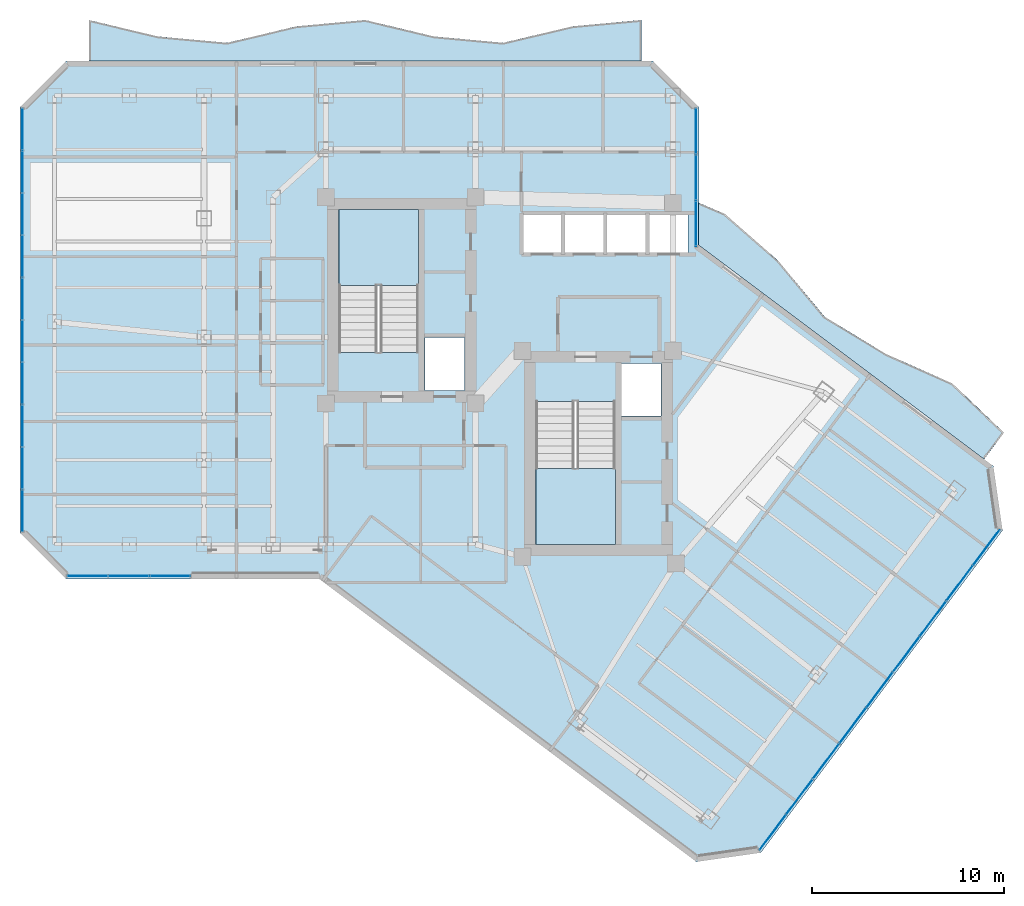
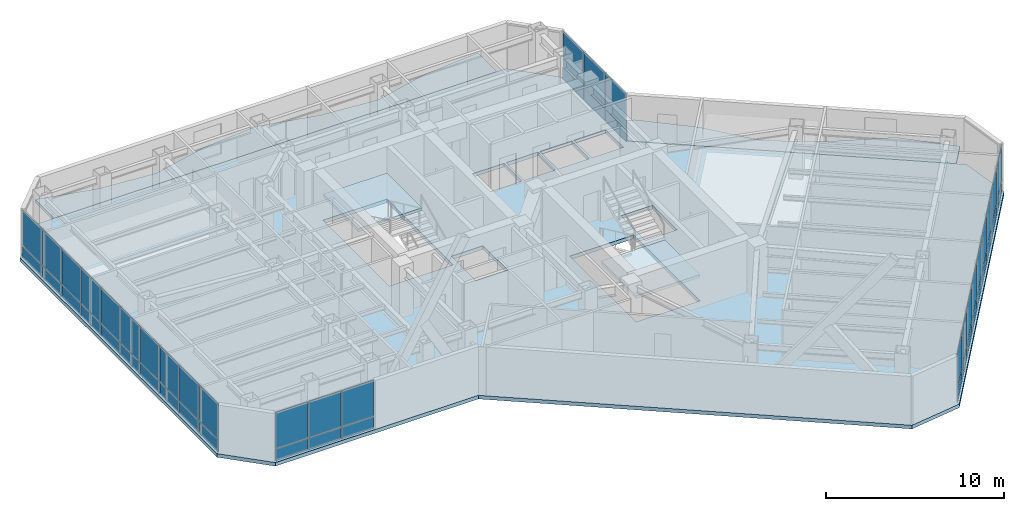
# One storey, part 20 of 27: 50 plates, 5 slabs, 6 elements without a shape of their own.
"""IFC4 building model written with IfcOpenShell, lengths in metres."""

from ifc_helpers import new_model, si_unit, direction, frame, origin, origin_2d, place, context, subcontext, project, spatial, polyline, rectangle, outline, extrude, material, layer, layer_set, type_object, element, aggregate, save


model = new_model("IFC4")

# Units and contexts
model_context = context("Model", 3, precision=1e-05, world=origin(), true_north=direction((0.0, 1.0)))
body_context = subcontext(model_context, "Body", "Model", "MODEL_VIEW")
ifc_project = project(units=[si_unit("LENGTHUNIT", "METRE"), si_unit("AREAUNIT", "SQUARE_METRE"), si_unit("VOLUMEUNIT", "CUBIC_METRE"), si_unit("PLANEANGLEUNIT", "RADIAN"), si_unit("MASSUNIT", "GRAM", prefix="KILO")], contexts=[model_context])

# Site, building, storey
site_placement = place(None, origin())
site = spatial("IfcSite", under=ifc_project, at=site_placement, CompositionType="ELEMENT")
building_placement = place(site_placement, origin())
building = spatial("IfcBuilding", under=site, at=building_placement, Name="Hatsunagi Terrace Concourse", CompositionType="ELEMENT")
storey_placement = place(building_placement, frame((0.0, 0.0, 167.25)))
storey = spatial("IfcBuildingStorey", under=building, at=storey_placement, Name="L44", CompositionType="ELEMENT", Elevation=167.25)

# Curtain wall, plates
ifc_material_1 = material(Name="Anodised Aluminium Alloy 6063-T5", Category="aluminium")
ifc_layer_1 = layer(ifc_material_1, 0.199951171875)
ifc_layer_set_1 = layer_set([ifc_layer_1], Name="OfficeZone1_CW03")
curtain_wall_type = type_object("IfcCurtainWallType", Name="OfficeZone1_CW03", PredefinedType="NOTDEFINED", material=ifc_layer_set_1)
curtain_wall_1_placement = place(storey_placement, origin())
curtain_wall_1 = element("IfcCurtainWall", 1, at=curtain_wall_1_placement, inside=storey, type_object=curtain_wall_type, Name="Unitised Curtain Wall CW-03 CW-L44-03", PredefinedType="NOTDEFINED")
ifc_material_2 = material(Name="Warm Terracotta Ceramic Spandrel Panel", Category="masonry")
ifc_layer_2 = layer(ifc_material_2, 0.031982421875)
ifc_layer_set_2 = layer_set([ifc_layer_2], Name="CurtainWallSpandrelPanel_32")
plate_type_1 = type_object("IfcPlateType", Name="CurtainWallSpandrelPanel_32", PredefinedType="SHEET", material=ifc_layer_set_2)
plate_1_placement = place(storey_placement, frame((59.9970703125, 25.030029296875, 0.030029296875), z_axis=(0.0, 0.0, 1.0), x_axis=(-0.599969314634, -0.800023013105, 0.0)))
plate_1 = element("IfcPlate", 2, at=plate_1_placement, type_object=plate_type_1, Name="Terracotta Spandrel Panel SPN-01", PredefinedType="SHEET", context=body_context, shape_type="SweptSolid", body=[
    extrude(rectangle(XDim=2.264892578125, YDim=0.031982421875, at=origin_2d()), origin(), (0.0, 0.0, 1.0), 0.7900390625),
])
plate_2_placement = place(storey_placement, frame((58.60498046875, 23.173095703125, 0.030029296875), z_axis=(0.0, 0.0, 1.0), x_axis=(-0.599969314634, -0.800023013105, 0.0)))
plate_2 = element("IfcPlate", 3, at=plate_2_placement, type_object=plate_type_1, Name="Terracotta Spandrel Panel SPN-01", PredefinedType="SHEET", context=body_context, shape_type="SweptSolid", body=[
    extrude(rectangle(XDim=2.264892578125, YDim=0.031982421875, at=origin_2d()), origin(), (0.0, 0.0, 1.0), 0.7900390625),
])
plate_3_placement = place(storey_placement, frame((57.2119140625, 21.31689453125, 0.030029296875), z_axis=(0.0, 0.0, 1.0), x_axis=(-0.599969314634, -0.800023013105, 0.0)))
plate_3 = element("IfcPlate", 4, at=plate_3_placement, type_object=plate_type_1, Name="Terracotta Spandrel Panel SPN-01", PredefinedType="SHEET", context=body_context, shape_type="SweptSolid", body=[
    extrude(rectangle(XDim=2.264892578125, YDim=0.031982421875, at=origin_2d()), origin(), (0.0, 0.0, 1.0), 0.7900390625),
])
plate_4_placement = place(storey_placement, frame((55.820068359375, 19.4599609375, 0.030029296875), z_axis=(0.0, 0.0, 1.0), x_axis=(-0.599969314634, -0.800023013105, 0.0)))
plate_4 = element("IfcPlate", 5, at=plate_4_placement, type_object=plate_type_1, Name="Terracotta Spandrel Panel SPN-01", PredefinedType="SHEET", context=body_context, shape_type="SweptSolid", body=[
    extrude(rectangle(XDim=2.264892578125, YDim=0.031982421875, at=origin_2d()), origin(), (0.0, 0.0, 1.0), 0.7900390625),
])
plate_5_placement = place(storey_placement, frame((54.427978515625, 17.60400390625, 0.030029296875), z_axis=(0.0, 0.0, 1.0), x_axis=(-0.599969314634, -0.800023013105, 0.0)))
plate_5 = element("IfcPlate", 6, at=plate_5_placement, type_object=plate_type_1, Name="Terracotta Spandrel Panel SPN-01", PredefinedType="SHEET", context=body_context, shape_type="SweptSolid", body=[
    extrude(rectangle(XDim=2.264892578125, YDim=0.031982421875, at=origin_2d()), origin(), (0.0, 0.0, 1.0), 0.7900390625),
])
plate_6_placement = place(storey_placement, frame((53.035888671875, 15.748046875, 0.030029296875), z_axis=(0.0, 0.0, 1.0), x_axis=(-0.599969314634, -0.800023013105, 0.0)))
plate_6 = element("IfcPlate", 7, at=plate_6_placement, type_object=plate_type_1, Name="Terracotta Spandrel Panel SPN-01", PredefinedType="SHEET", context=body_context, shape_type="SweptSolid", body=[
    extrude(rectangle(XDim=2.264892578125, YDim=0.031982421875, at=origin_2d()), origin(), (0.0, 0.0, 1.0), 0.7900390625),
])
plate_7_placement = place(storey_placement, frame((51.64404296875, 13.89111328125, 0.030029296875), z_axis=(0.0, 0.0, 1.0), x_axis=(-0.599969314634, -0.800023013105, 0.0)))
plate_7 = element("IfcPlate", 8, at=plate_7_placement, type_object=plate_type_1, Name="Terracotta Spandrel Panel SPN-01", PredefinedType="SHEET", context=body_context, shape_type="SweptSolid", body=[
    extrude(rectangle(XDim=2.264892578125, YDim=0.031982421875, at=origin_2d()), origin(), (0.0, 0.0, 1.0), 0.7900390625),
])
plate_8_placement = place(storey_placement, frame((50.2509765625, 12.034912109375, 0.030029296875), z_axis=(0.0, 0.0, 1.0), x_axis=(-0.599969314634, -0.800023013105, 0.0)))
plate_8 = element("IfcPlate", 9, at=plate_8_placement, type_object=plate_type_1, Name="Terracotta Spandrel Panel SPN-01", PredefinedType="SHEET", context=body_context, shape_type="SweptSolid", body=[
    extrude(rectangle(XDim=2.264892578125, YDim=0.031982421875, at=origin_2d()), origin(), (0.0, 0.0, 1.0), 0.7900390625),
])
plate_9_placement = place(storey_placement, frame((48.85888671875, 10.177978515625, 0.030029296875), z_axis=(0.0, 0.0, 1.0), x_axis=(-0.599969314634, -0.800023013105, 0.0)))
plate_9 = element("IfcPlate", 10, at=plate_9_placement, type_object=plate_type_1, Name="Terracotta Spandrel Panel SPN-01", PredefinedType="SHEET", context=body_context, shape_type="SweptSolid", body=[
    extrude(rectangle(XDim=2.264892578125, YDim=0.031982421875, at=origin_2d()), origin(), (0.0, 0.0, 1.0), 0.7900390625),
])

curtain_wall_2_placement = place(storey_placement, origin())
curtain_wall_2 = element("IfcCurtainWall", 11, at=curtain_wall_2_placement, inside=storey, type_object=curtain_wall_type, Name="Unitised Curtain Wall CW-03 CW-L44-07", PredefinedType="NOTDEFINED")
plate_10_placement = place(storey_placement, frame((17.426025390625, 23.5400390625, 0.030029296875), z_axis=(0.0, 0.0, 1.0), x_axis=(-1.0, 0.0, 0.0)))
plate_10 = element("IfcPlate", 12, at=plate_10_placement, type_object=plate_type_1, Name="Terracotta Spandrel Panel SPN-01", PredefinedType="SHEET", context=body_context, shape_type="SweptSolid", body=[
    extrude(rectangle(XDim=2.092041015625, YDim=0.031982421875, at=origin_2d()), origin(), (0.0, 0.0, 1.0), 0.7900390625),
])
plate_11_placement = place(storey_placement, frame((15.279052734375, 23.5400390625, 0.030029296875), z_axis=(0.0, 0.0, 1.0), x_axis=(-1.0, 0.0, 0.0)))
plate_11 = element("IfcPlate", 13, at=plate_11_placement, type_object=plate_type_1, Name="Terracotta Spandrel Panel SPN-01", PredefinedType="SHEET", context=body_context, shape_type="SweptSolid", body=[
    extrude(rectangle(XDim=2.092041015625, YDim=0.031982421875, at=origin_2d()), origin(), (0.0, 0.0, 1.0), 0.7900390625),
])
plate_12_placement = place(storey_placement, frame((13.132080078125, 23.5400390625, 0.030029296875), z_axis=(0.0, 0.0, 1.0), x_axis=(-1.0, 0.0, 0.0)))
plate_12 = element("IfcPlate", 14, at=plate_12_placement, type_object=plate_type_1, Name="Terracotta Spandrel Panel SPN-01", PredefinedType="SHEET", context=body_context, shape_type="SweptSolid", body=[
    extrude(rectangle(XDim=2.092041015625, YDim=0.031982421875, at=origin_2d()), origin(), (0.0, 0.0, 1.0), 0.7900390625),
])

curtain_wall_3_placement = place(storey_placement, origin())
curtain_wall_3 = element("IfcCurtainWall", 15, at=curtain_wall_3_placement, inside=storey, type_object=curtain_wall_type, Name="Unitised Curtain Wall CW-03 CW-L44-09", PredefinedType="NOTDEFINED")
plate_13_placement = place(storey_placement, frame((9.739990234375, 26.9619140625, 0.030029296875), z_axis=(0.0, 0.0, 1.0), x_axis=(0.0, 1.0, 0.0)))
plate_13 = element("IfcPlate", 16, at=plate_13_placement, type_object=plate_type_1, Name="Terracotta Spandrel Panel SPN-01", PredefinedType="SHEET", context=body_context, shape_type="SweptSolid", body=[
    extrude(rectangle(XDim=2.153076171875, YDim=0.031982421875, at=origin_2d()), origin(), (0.0, 0.0, 1.0), 0.7900390625),
])
plate_14_placement = place(storey_placement, frame((9.739990234375, 29.1708984375, 0.030029296875), z_axis=(0.0, 0.0, 1.0), x_axis=(0.0, 1.0, 0.0)))
plate_14 = element("IfcPlate", 17, at=plate_14_placement, type_object=plate_type_1, Name="Terracotta Spandrel Panel SPN-01", PredefinedType="SHEET", context=body_context, shape_type="SweptSolid", body=[
    extrude(rectangle(XDim=2.153076171875, YDim=0.031982421875, at=origin_2d()), origin(), (0.0, 0.0, 1.0), 0.7900390625),
])
plate_15_placement = place(storey_placement, frame((9.739990234375, 31.37890625, 0.030029296875), z_axis=(0.0, 0.0, 1.0), x_axis=(0.0, 1.0, 0.0)))
plate_15 = element("IfcPlate", 18, at=plate_15_placement, type_object=plate_type_1, Name="Terracotta Spandrel Panel SPN-01", PredefinedType="SHEET", context=body_context, shape_type="SweptSolid", body=[
    extrude(rectangle(XDim=2.153076171875, YDim=0.031982421875, at=origin_2d()), origin(), (0.0, 0.0, 1.0), 0.7900390625),
])
plate_16_placement = place(storey_placement, frame((9.739990234375, 33.5869140625, 0.030029296875), z_axis=(0.0, 0.0, 1.0), x_axis=(0.0, 1.0, 0.0)))
plate_16 = element("IfcPlate", 19, at=plate_16_placement, type_object=plate_type_1, Name="Terracotta Spandrel Panel SPN-01", PredefinedType="SHEET", context=body_context, shape_type="SweptSolid", body=[
    extrude(rectangle(XDim=2.153076171875, YDim=0.031982421875, at=origin_2d()), origin(), (0.0, 0.0, 1.0), 0.7900390625),
])
plate_17_placement = place(storey_placement, frame((9.739990234375, 35.7958984375, 0.030029296875), z_axis=(0.0, 0.0, 1.0), x_axis=(0.0, 1.0, 0.0)))
plate_17 = element("IfcPlate", 20, at=plate_17_placement, type_object=plate_type_1, Name="Terracotta Spandrel Panel SPN-01", PredefinedType="SHEET", context=body_context, shape_type="SweptSolid", body=[
    extrude(rectangle(XDim=2.153076171875, YDim=0.031982421875, at=origin_2d()), origin(), (0.0, 0.0, 1.0), 0.7900390625),
])
plate_18_placement = place(storey_placement, frame((9.739990234375, 38.00390625, 0.030029296875), z_axis=(0.0, 0.0, 1.0), x_axis=(0.0, 1.0, 0.0)))
plate_18 = element("IfcPlate", 21, at=plate_18_placement, type_object=plate_type_1, Name="Terracotta Spandrel Panel SPN-01", PredefinedType="SHEET", context=body_context, shape_type="SweptSolid", body=[
    extrude(rectangle(XDim=2.153076171875, YDim=0.031982421875, at=origin_2d()), origin(), (0.0, 0.0, 1.0), 0.7900390625),
])
plate_19_placement = place(storey_placement, frame((9.739990234375, 40.212890625, 0.030029296875), z_axis=(0.0, 0.0, 1.0), x_axis=(0.0, 1.0, 0.0)))
plate_19 = element("IfcPlate", 22, at=plate_19_placement, type_object=plate_type_1, Name="Terracotta Spandrel Panel SPN-01", PredefinedType="SHEET", context=body_context, shape_type="SweptSolid", body=[
    extrude(rectangle(XDim=2.153076171875, YDim=0.031982421875, at=origin_2d()), origin(), (0.0, 0.0, 1.0), 0.7900390625),
])
plate_20_placement = place(storey_placement, frame((9.739990234375, 42.4208984375, 0.030029296875), z_axis=(0.0, 0.0, 1.0), x_axis=(0.0, 1.0, 0.0)))
plate_20 = element("IfcPlate", 23, at=plate_20_placement, type_object=plate_type_1, Name="Terracotta Spandrel Panel SPN-01", PredefinedType="SHEET", context=body_context, shape_type="SweptSolid", body=[
    extrude(rectangle(XDim=2.153076171875, YDim=0.031982421875, at=origin_2d()), origin(), (0.0, 0.0, 1.0), 0.7900390625),
])
plate_21_placement = place(storey_placement, frame((9.739990234375, 44.62890625, 0.030029296875), z_axis=(0.0, 0.0, 1.0), x_axis=(0.0, 1.0, 0.0)))
plate_21 = element("IfcPlate", 24, at=plate_21_placement, type_object=plate_type_1, Name="Terracotta Spandrel Panel SPN-01", PredefinedType="SHEET", context=body_context, shape_type="SweptSolid", body=[
    extrude(rectangle(XDim=2.153076171875, YDim=0.031982421875, at=origin_2d()), origin(), (0.0, 0.0, 1.0), 0.7900390625),
])
plate_22_placement = place(storey_placement, frame((9.739990234375, 46.837890625, 0.030029296875), z_axis=(0.0, 0.0, 1.0), x_axis=(0.0, 1.0, 0.0)))
plate_22 = element("IfcPlate", 25, at=plate_22_placement, type_object=plate_type_1, Name="Terracotta Spandrel Panel SPN-01", PredefinedType="SHEET", context=body_context, shape_type="SweptSolid", body=[
    extrude(rectangle(XDim=2.153076171875, YDim=0.031982421875, at=origin_2d()), origin(), (0.0, 0.0, 1.0), 0.7900390625),
])

curtain_wall_4_placement = place(storey_placement, origin())
curtain_wall_4 = element("IfcCurtainWall", 26, at=curtain_wall_4_placement, inside=storey, type_object=curtain_wall_type, Name="Unitised Curtain Wall CW-03 CW-L44-13", PredefinedType="NOTDEFINED")
plate_23_placement = place(storey_placement, frame((44.860107421875, 46.739990234375, 0.030029296875), z_axis=(0.0, 0.0, 1.0), x_axis=(0.0, -1.0, 0.0)))
plate_23 = element("IfcPlate", 27, at=plate_23_placement, type_object=plate_type_1, Name="Terracotta Spandrel Panel SPN-01", PredefinedType="SHEET", context=body_context, shape_type="SweptSolid", body=[
    extrude(rectangle(XDim=2.34912109375, YDim=0.031982421875, at=origin_2d()), origin(), (0.0, 0.0, 1.0), 0.7900390625),
])
plate_24_placement = place(storey_placement, frame((44.860107421875, 44.3359375, 0.030029296875), z_axis=(0.0, 0.0, 1.0), x_axis=(0.0, -1.0, 0.0)))
plate_24 = element("IfcPlate", 28, at=plate_24_placement, type_object=plate_type_1, Name="Terracotta Spandrel Panel SPN-01", PredefinedType="SHEET", context=body_context, shape_type="SweptSolid", body=[
    extrude(rectangle(XDim=2.34912109375, YDim=0.031982421875, at=origin_2d()), origin(), (0.0, 0.0, 1.0), 0.7900390625),
])
plate_25_placement = place(storey_placement, frame((44.860107421875, 41.931884765625, 0.030029296875), z_axis=(0.0, 0.0, 1.0), x_axis=(0.0, -1.0, 0.0)))
plate_25 = element("IfcPlate", 29, at=plate_25_placement, type_object=plate_type_1, Name="Terracotta Spandrel Panel SPN-01", PredefinedType="SHEET", context=body_context, shape_type="SweptSolid", body=[
    extrude(rectangle(XDim=2.34912109375, YDim=0.031982421875, at=origin_2d()), origin(), (0.0, 0.0, 1.0), 0.7900390625),
])

# Plate
ifc_material_3 = material(Name="Low-E Double Insulating Glass 28mm", Category="glass")
ifc_layer_3 = layer(ifc_material_3, 0.028076171875)
ifc_layer_set_3 = layer_set([ifc_layer_3], Name="CurtainWallVisionGlass_28")
plate_type_2 = type_object("IfcPlateType", Name="CurtainWallVisionGlass_28", PredefinedType="CURTAIN_PANEL", material=ifc_layer_set_3)
plate_26_placement = place(storey_placement, frame((59.9970703125, 25.030029296875, 0.880126953125), z_axis=(0.0, 0.0, 1.0), x_axis=(-0.599969314634, -0.800023013105, 0.0)))
plate_26 = element("IfcPlate", 30, at=plate_26_placement, type_object=plate_type_2, Name="Low-E Vision Glass Panel GLZ-01", PredefinedType="CURTAIN_PANEL", context=body_context, shape_type="SweptSolid", body=[
    extrude(rectangle(XDim=2.264892578125, YDim=0.028076171875, at=origin_2d()), origin(), (0.0, 0.0, 1.0), 2.43994140625),
])

plate_27_placement = place(storey_placement, frame((58.60498046875, 23.173095703125, 0.880126953125), z_axis=(0.0, 0.0, 1.0), x_axis=(-0.599969314634, -0.800023013105, 0.0)))
plate_27 = element("IfcPlate", 31, at=plate_27_placement, type_object=plate_type_2, Name="Low-E Vision Glass Panel GLZ-01", PredefinedType="CURTAIN_PANEL", context=body_context, shape_type="SweptSolid", body=[
    extrude(rectangle(XDim=2.264892578125, YDim=0.028076171875, at=origin_2d()), origin(), (0.0, 0.0, 1.0), 2.43994140625),
])

plate_28_placement = place(storey_placement, frame((57.2119140625, 21.31689453125, 0.880126953125), z_axis=(0.0, 0.0, 1.0), x_axis=(-0.599969314634, -0.800023013105, 0.0)))
plate_28 = element("IfcPlate", 32, at=plate_28_placement, type_object=plate_type_2, Name="Low-E Vision Glass Panel GLZ-01", PredefinedType="CURTAIN_PANEL", context=body_context, shape_type="SweptSolid", body=[
    extrude(rectangle(XDim=2.264892578125, YDim=0.028076171875, at=origin_2d()), origin(), (0.0, 0.0, 1.0), 2.43994140625),
])

plate_29_placement = place(storey_placement, frame((55.820068359375, 19.4599609375, 0.880126953125), z_axis=(0.0, 0.0, 1.0), x_axis=(-0.599969314634, -0.800023013105, 0.0)))
plate_29 = element("IfcPlate", 33, at=plate_29_placement, type_object=plate_type_2, Name="Low-E Vision Glass Panel GLZ-01", PredefinedType="CURTAIN_PANEL", context=body_context, shape_type="SweptSolid", body=[
    extrude(rectangle(XDim=2.264892578125, YDim=0.028076171875, at=origin_2d()), origin(), (0.0, 0.0, 1.0), 2.43994140625),
])

plate_30_placement = place(storey_placement, frame((54.427978515625, 17.60400390625, 0.880126953125), z_axis=(0.0, 0.0, 1.0), x_axis=(-0.599969314634, -0.800023013105, 0.0)))
plate_30 = element("IfcPlate", 34, at=plate_30_placement, type_object=plate_type_2, Name="Low-E Vision Glass Panel GLZ-01", PredefinedType="CURTAIN_PANEL", context=body_context, shape_type="SweptSolid", body=[
    extrude(rectangle(XDim=2.264892578125, YDim=0.028076171875, at=origin_2d()), origin(), (0.0, 0.0, 1.0), 2.43994140625),
])

plate_31_placement = place(storey_placement, frame((53.035888671875, 15.748046875, 0.880126953125), z_axis=(0.0, 0.0, 1.0), x_axis=(-0.599969314634, -0.800023013105, 0.0)))
plate_31 = element("IfcPlate", 35, at=plate_31_placement, type_object=plate_type_2, Name="Low-E Vision Glass Panel GLZ-01", PredefinedType="CURTAIN_PANEL", context=body_context, shape_type="SweptSolid", body=[
    extrude(rectangle(XDim=2.264892578125, YDim=0.028076171875, at=origin_2d()), origin(), (0.0, 0.0, 1.0), 2.43994140625),
])

plate_32_placement = place(storey_placement, frame((51.64404296875, 13.89111328125, 0.880126953125), z_axis=(0.0, 0.0, 1.0), x_axis=(-0.599969314634, -0.800023013105, 0.0)))
plate_32 = element("IfcPlate", 36, at=plate_32_placement, type_object=plate_type_2, Name="Low-E Vision Glass Panel GLZ-01", PredefinedType="CURTAIN_PANEL", context=body_context, shape_type="SweptSolid", body=[
    extrude(rectangle(XDim=2.264892578125, YDim=0.028076171875, at=origin_2d()), origin(), (0.0, 0.0, 1.0), 2.43994140625),
])

plate_33_placement = place(storey_placement, frame((50.2509765625, 12.034912109375, 0.880126953125), z_axis=(0.0, 0.0, 1.0), x_axis=(-0.599969314634, -0.800023013105, 0.0)))
plate_33 = element("IfcPlate", 37, at=plate_33_placement, type_object=plate_type_2, Name="Low-E Vision Glass Panel GLZ-01", PredefinedType="CURTAIN_PANEL", context=body_context, shape_type="SweptSolid", body=[
    extrude(rectangle(XDim=2.264892578125, YDim=0.028076171875, at=origin_2d()), origin(), (0.0, 0.0, 1.0), 2.43994140625),
])

plate_34_placement = place(storey_placement, frame((48.85888671875, 10.177978515625, 0.880126953125), z_axis=(0.0, 0.0, 1.0), x_axis=(-0.599969314634, -0.800023013105, 0.0)))
plate_34 = element("IfcPlate", 38, at=plate_34_placement, type_object=plate_type_2, Name="Low-E Vision Glass Panel GLZ-01", PredefinedType="CURTAIN_PANEL", context=body_context, shape_type="SweptSolid", body=[
    extrude(rectangle(XDim=2.264892578125, YDim=0.028076171875, at=origin_2d()), origin(), (0.0, 0.0, 1.0), 2.43994140625),
])

aggregate(curtain_wall_1, [plate_1, plate_26, plate_2, plate_27, plate_3, plate_28, plate_4, plate_29, plate_5, plate_30, plate_6, plate_31, plate_7, plate_32, plate_8, plate_33, plate_9, plate_34])

plate_35_placement = place(storey_placement, frame((17.426025390625, 23.5400390625, 0.880126953125), z_axis=(0.0, 0.0, 1.0), x_axis=(-1.0, 0.0, 0.0)))
plate_35 = element("IfcPlate", 39, at=plate_35_placement, type_object=plate_type_2, Name="Low-E Vision Glass Panel GLZ-01", PredefinedType="CURTAIN_PANEL", context=body_context, shape_type="SweptSolid", body=[
    extrude(rectangle(XDim=2.092041015625, YDim=0.028076171875, at=origin_2d()), origin(), (0.0, 0.0, 1.0), 2.43994140625),
])

plate_36_placement = place(storey_placement, frame((15.279052734375, 23.5400390625, 0.880126953125), z_axis=(0.0, 0.0, 1.0), x_axis=(-1.0, 0.0, 0.0)))
plate_36 = element("IfcPlate", 40, at=plate_36_placement, type_object=plate_type_2, Name="Low-E Vision Glass Panel GLZ-01", PredefinedType="CURTAIN_PANEL", context=body_context, shape_type="SweptSolid", body=[
    extrude(rectangle(XDim=2.092041015625, YDim=0.028076171875, at=origin_2d()), origin(), (0.0, 0.0, 1.0), 2.43994140625),
])

plate_37_placement = place(storey_placement, frame((13.132080078125, 23.5400390625, 0.880126953125), z_axis=(0.0, 0.0, 1.0), x_axis=(-1.0, 0.0, 0.0)))
plate_37 = element("IfcPlate", 41, at=plate_37_placement, type_object=plate_type_2, Name="Low-E Vision Glass Panel GLZ-01", PredefinedType="CURTAIN_PANEL", context=body_context, shape_type="SweptSolid", body=[
    extrude(rectangle(XDim=2.092041015625, YDim=0.028076171875, at=origin_2d()), origin(), (0.0, 0.0, 1.0), 2.43994140625),
])

aggregate(curtain_wall_2, [plate_10, plate_35, plate_11, plate_36, plate_12, plate_37])

plate_38_placement = place(storey_placement, frame((9.739990234375, 26.9619140625, 0.880126953125), z_axis=(0.0, 0.0, 1.0), x_axis=(0.0, 1.0, 0.0)))
plate_38 = element("IfcPlate", 42, at=plate_38_placement, type_object=plate_type_2, Name="Low-E Vision Glass Panel GLZ-01", PredefinedType="CURTAIN_PANEL", context=body_context, shape_type="SweptSolid", body=[
    extrude(rectangle(XDim=2.153076171875, YDim=0.028076171875, at=origin_2d()), origin(), (0.0, 0.0, 1.0), 2.43994140625),
])

plate_39_placement = place(storey_placement, frame((9.739990234375, 29.1708984375, 0.880126953125), z_axis=(0.0, 0.0, 1.0), x_axis=(0.0, 1.0, 0.0)))
plate_39 = element("IfcPlate", 43, at=plate_39_placement, type_object=plate_type_2, Name="Low-E Vision Glass Panel GLZ-01", PredefinedType="CURTAIN_PANEL", context=body_context, shape_type="SweptSolid", body=[
    extrude(rectangle(XDim=2.153076171875, YDim=0.028076171875, at=origin_2d()), origin(), (0.0, 0.0, 1.0), 2.43994140625),
])

plate_40_placement = place(storey_placement, frame((9.739990234375, 31.37890625, 0.880126953125), z_axis=(0.0, 0.0, 1.0), x_axis=(0.0, 1.0, 0.0)))
plate_40 = element("IfcPlate", 44, at=plate_40_placement, type_object=plate_type_2, Name="Low-E Vision Glass Panel GLZ-01", PredefinedType="CURTAIN_PANEL", context=body_context, shape_type="SweptSolid", body=[
    extrude(rectangle(XDim=2.153076171875, YDim=0.028076171875, at=origin_2d()), origin(), (0.0, 0.0, 1.0), 2.43994140625),
])

plate_41_placement = place(storey_placement, frame((9.739990234375, 33.5869140625, 0.880126953125), z_axis=(0.0, 0.0, 1.0), x_axis=(0.0, 1.0, 0.0)))
plate_41 = element("IfcPlate", 45, at=plate_41_placement, type_object=plate_type_2, Name="Low-E Vision Glass Panel GLZ-01", PredefinedType="CURTAIN_PANEL", context=body_context, shape_type="SweptSolid", body=[
    extrude(rectangle(XDim=2.153076171875, YDim=0.028076171875, at=origin_2d()), origin(), (0.0, 0.0, 1.0), 2.43994140625),
])

plate_42_placement = place(storey_placement, frame((9.739990234375, 35.7958984375, 0.880126953125), z_axis=(0.0, 0.0, 1.0), x_axis=(0.0, 1.0, 0.0)))
plate_42 = element("IfcPlate", 46, at=plate_42_placement, type_object=plate_type_2, Name="Low-E Vision Glass Panel GLZ-01", PredefinedType="CURTAIN_PANEL", context=body_context, shape_type="SweptSolid", body=[
    extrude(rectangle(XDim=2.153076171875, YDim=0.028076171875, at=origin_2d()), origin(), (0.0, 0.0, 1.0), 2.43994140625),
])

plate_43_placement = place(storey_placement, frame((9.739990234375, 38.00390625, 0.880126953125), z_axis=(0.0, 0.0, 1.0), x_axis=(0.0, 1.0, 0.0)))
plate_43 = element("IfcPlate", 47, at=plate_43_placement, type_object=plate_type_2, Name="Low-E Vision Glass Panel GLZ-01", PredefinedType="CURTAIN_PANEL", context=body_context, shape_type="SweptSolid", body=[
    extrude(rectangle(XDim=2.153076171875, YDim=0.028076171875, at=origin_2d()), origin(), (0.0, 0.0, 1.0), 2.43994140625),
])

plate_44_placement = place(storey_placement, frame((9.739990234375, 40.212890625, 0.880126953125), z_axis=(0.0, 0.0, 1.0), x_axis=(0.0, 1.0, 0.0)))
plate_44 = element("IfcPlate", 48, at=plate_44_placement, type_object=plate_type_2, Name="Low-E Vision Glass Panel GLZ-01", PredefinedType="CURTAIN_PANEL", context=body_context, shape_type="SweptSolid", body=[
    extrude(rectangle(XDim=2.153076171875, YDim=0.028076171875, at=origin_2d()), origin(), (0.0, 0.0, 1.0), 2.43994140625),
])

plate_45_placement = place(storey_placement, frame((9.739990234375, 42.4208984375, 0.880126953125), z_axis=(0.0, 0.0, 1.0), x_axis=(0.0, 1.0, 0.0)))
plate_45 = element("IfcPlate", 49, at=plate_45_placement, type_object=plate_type_2, Name="Low-E Vision Glass Panel GLZ-01", PredefinedType="CURTAIN_PANEL", context=body_context, shape_type="SweptSolid", body=[
    extrude(rectangle(XDim=2.153076171875, YDim=0.028076171875, at=origin_2d()), origin(), (0.0, 0.0, 1.0), 2.43994140625),
])

plate_46_placement = place(storey_placement, frame((9.739990234375, 44.62890625, 0.880126953125), z_axis=(0.0, 0.0, 1.0), x_axis=(0.0, 1.0, 0.0)))
plate_46 = element("IfcPlate", 50, at=plate_46_placement, type_object=plate_type_2, Name="Low-E Vision Glass Panel GLZ-01", PredefinedType="CURTAIN_PANEL", context=body_context, shape_type="SweptSolid", body=[
    extrude(rectangle(XDim=2.153076171875, YDim=0.028076171875, at=origin_2d()), origin(), (0.0, 0.0, 1.0), 2.43994140625),
])

plate_47_placement = place(storey_placement, frame((9.739990234375, 46.837890625, 0.880126953125), z_axis=(0.0, 0.0, 1.0), x_axis=(0.0, 1.0, 0.0)))
plate_47 = element("IfcPlate", 51, at=plate_47_placement, type_object=plate_type_2, Name="Low-E Vision Glass Panel GLZ-01", PredefinedType="CURTAIN_PANEL", context=body_context, shape_type="SweptSolid", body=[
    extrude(rectangle(XDim=2.153076171875, YDim=0.028076171875, at=origin_2d()), origin(), (0.0, 0.0, 1.0), 2.43994140625),
])

aggregate(curtain_wall_3, [plate_13, plate_38, plate_14, plate_39, plate_15, plate_40, plate_16, plate_41, plate_17, plate_42, plate_18, plate_43, plate_19, plate_44, plate_20, plate_45, plate_21, plate_46, plate_22, plate_47])

plate_48_placement = place(storey_placement, frame((44.860107421875, 46.739990234375, 0.880126953125), z_axis=(0.0, 0.0, 1.0), x_axis=(0.0, -1.0, 0.0)))
plate_48 = element("IfcPlate", 52, at=plate_48_placement, type_object=plate_type_2, Name="Low-E Vision Glass Panel GLZ-01", PredefinedType="CURTAIN_PANEL", context=body_context, shape_type="SweptSolid", body=[
    extrude(rectangle(XDim=2.34912109375, YDim=0.028076171875, at=origin_2d()), origin(), (0.0, 0.0, 1.0), 2.43994140625),
])

plate_49_placement = place(storey_placement, frame((44.860107421875, 44.3359375, 0.880126953125), z_axis=(0.0, 0.0, 1.0), x_axis=(0.0, -1.0, 0.0)))
plate_49 = element("IfcPlate", 53, at=plate_49_placement, type_object=plate_type_2, Name="Low-E Vision Glass Panel GLZ-01", PredefinedType="CURTAIN_PANEL", context=body_context, shape_type="SweptSolid", body=[
    extrude(rectangle(XDim=2.34912109375, YDim=0.028076171875, at=origin_2d()), origin(), (0.0, 0.0, 1.0), 2.43994140625),
])

plate_50_placement = place(storey_placement, frame((44.860107421875, 41.931884765625, 0.880126953125), z_axis=(0.0, 0.0, 1.0), x_axis=(0.0, -1.0, 0.0)))
plate_50 = element("IfcPlate", 54, at=plate_50_placement, type_object=plate_type_2, Name="Low-E Vision Glass Panel GLZ-01", PredefinedType="CURTAIN_PANEL", context=body_context, shape_type="SweptSolid", body=[
    extrude(rectangle(XDim=2.34912109375, YDim=0.028076171875, at=origin_2d()), origin(), (0.0, 0.0, 1.0), 2.43994140625),
])

aggregate(curtain_wall_4, [plate_23, plate_48, plate_24, plate_49, plate_25, plate_50])

# Stair, slab
ifc_material_4 = material(Name="Concrete Fc42", Category="concrete")
stair_type = type_object("IfcStairType", Name="DoglegExitStair_Tower2000_20R_180", PredefinedType="HALF_TURN_STAIR", material=ifc_material_4)
stair_1_placement = place(storey_placement, origin())
stair_1 = element("IfcStair", 55, at=stair_1_placement, inside=storey, type_object=stair_type, Name="L44 Core A Protected Exit Stair ST-A", PredefinedType="HALF_TURN_STAIR")
ifc_material_5 = material(Name="Concrete Fc42", Category="concrete")
ifc_layer_4 = layer(ifc_material_5, 0.199951171875)
ifc_layer_set_4 = layer_set([ifc_layer_4], Name="DoglegStairLanding_Tower2000")
slab_type_1 = type_object("IfcSlabType", Name="DoglegStairLanding_Tower2000", PredefinedType="LANDING", material=ifc_layer_set_4)
slab_1_placement = place(storey_placement, frame((0.0, 0.0, 1.60009765625)))
slab_1 = element("IfcSlab", 56, at=slab_1_placement, type_object=slab_type_1, Name="ST-A landing 1", PredefinedType="LANDING", context=body_context, shape_type="SweptSolid", body=[
    extrude(outline(polyline([(30.3798828125, 38.7099609375), (30.3798828125, 42.659912109375), (26.22998046875, 42.659912109375), (26.22998046875, 38.7099609375), (30.3798828125, 38.7099609375)])), origin(), (0.0, 0.0, 1.0), 0.199951171875),
])
aggregate(stair_1, [slab_1])

stair_2_placement = place(storey_placement, origin())
stair_2 = element("IfcStair", 57, at=stair_2_placement, inside=storey, type_object=stair_type, Name="L44 Core B Protected Exit Stair ST-B", PredefinedType="HALF_TURN_STAIR")
slab_2_placement = place(storey_placement, frame((0.0, 0.0, 1.60009765625)))
slab_2 = element("IfcSlab", 58, at=slab_2_placement, type_object=slab_type_1, Name="ST-B landing 1", PredefinedType="LANDING", context=body_context, shape_type="SweptSolid", body=[
    extrude(outline(polyline([(36.5, 29.14990234375), (36.5, 25.199951171875), (40.64990234375, 25.199951171875), (40.64990234375, 29.14990234375), (36.5, 29.14990234375)])), origin(), (0.0, 0.0, 1.0), 0.199951171875),
])
aggregate(stair_2, [slab_2])

# Slabs
ifc_material_6 = material(Name="Concrete Fc42", Category="concrete")
ifc_layer_5 = layer(ifc_material_6, 0.199951171875)
ifc_layer_set_5 = layer_set([ifc_layer_5], Name="EngawaBalconySlab_Fc42_200")
slab_type_2 = type_object("IfcSlabType", Name="EngawaBalconySlab_Fc42_200", PredefinedType="FLOOR", material=ifc_layer_set_5)
slab_3_placement = place(storey_placement, frame((0.0, 0.0, -0.199951171875)))
element("IfcSlab", 59, at=slab_3_placement, inside=storey, type_object=slab_type_2, Name="Engawa Balcony Slab BAL-L44-BN", PredefinedType="FLOOR", context=body_context, shape_type="SweptSolid", body=[
    extrude(outline(polyline([(13.199951171875, 52.5439453125), (13.199951171875, 50.39990234375), (42.0, 50.39990234375), (42.0, 52.5439453125), (38.39990234375, 52.214111328125), (34.800048828125, 51.35595703125), (31.199951171875, 51.68603515625), (27.60009765625, 52.5439453125), (24.0, 52.214111328125), (20.39990234375, 51.35595703125), (16.800048828125, 51.68603515625), (13.199951171875, 52.5439453125)])), origin(), (0.0, 0.0, 1.0), 0.199951171875),
])
slab_4_placement = place(storey_placement, frame((0.0, 0.0, -0.199951171875)))
element("IfcSlab", 60, at=slab_4_placement, inside=storey, type_object=slab_type_2, Name="Engawa Balcony Slab BAL-L44-BSE", PredefinedType="FLOOR", context=body_context, shape_type="SweptSolid", body=[
    extrude(outline(polyline([(46.35302734375, 42.43701171875), (44.99609375, 43.01611328125), (44.99609375, 40.802978515625), (59.8798828125, 29.639892578125), (60.9169921875, 31.02294921875), (58.219970703125, 33.593017578125), (54.75, 35.134033203125), (51.572021484375, 37.06298828125), (49.14111328125, 39.988037109375), (46.35302734375, 42.43701171875)])), origin(), (0.0, 0.0, 1.0), 0.199951171875),
])
ifc_material_7 = material(Name="Concrete Fc42", Category="concrete")
ifc_layer_6 = layer(ifc_material_7, 0.25)
ifc_layer_set_6 = layer_set([ifc_layer_6], Name="OfficeCrownSlab_Fc42_250")
slab_type_3 = type_object("IfcSlabType", Name="OfficeCrownSlab_Fc42_250", PredefinedType="FLOOR", material=ifc_layer_set_6)
slab_5_placement = place(storey_placement, frame((0.0, 0.0, -0.25)))
element("IfcSlab", 61, at=slab_5_placement, inside=storey, type_object=slab_type_3, Name="Floor Slab SL-250 L44", PredefinedType="FLOOR", context=body_context, shape_type="SweptSolid", body=[
    extrude(outline(polyline([(45.0, 40.800048828125), (45.0, 48.0), (42.60009765625, 50.39990234375), (12.0, 50.39990234375), (9.60009765625, 48.0), (9.60009765625, 25.800048828125), (12.0, 23.39990234375), (25.199951171875, 23.39990234375), (44.8798828125, 8.639892578125), (48.239990234375, 9.1201171875), (60.840087890625, 25.919921875), (60.360107421875, 29.280029296875), (45.0, 40.800048828125)]), holes=[polyline([(26.22998046875, 35.205078125), (30.3798828125, 35.205078125), (30.3798828125, 42.659912109375), (26.22998046875, 42.659912109375), (26.22998046875, 35.205078125)]), polyline([(36.5, 25.199951171875), (40.64990234375, 25.199951171875), (40.64990234375, 32.655029296875), (36.5, 32.655029296875), (36.5, 25.199951171875)]), polyline([(30.719970703125, 33.219970703125), (32.780029296875, 33.219970703125), (32.780029296875, 35.97998046875), (30.719970703125, 35.97998046875), (30.719970703125, 33.219970703125)]), polyline([(40.97998046875, 31.8798828125), (43.02001953125, 31.8798828125), (43.02001953125, 34.639892578125), (40.97998046875, 34.639892578125), (40.97998046875, 31.8798828125)]), polyline([(35.800048828125, 40.39990234375), (37.85009765625, 40.39990234375), (37.85009765625, 42.39990234375), (35.800048828125, 42.39990234375), (35.800048828125, 40.39990234375)]), polyline([(38.0, 40.39990234375), (40.050048828125, 40.39990234375), (40.050048828125, 42.39990234375), (38.0, 42.39990234375), (38.0, 40.39990234375)]), polyline([(40.199951171875, 40.39990234375), (42.25, 40.39990234375), (42.25, 42.39990234375), (40.199951171875, 42.39990234375), (40.199951171875, 40.39990234375)]), polyline([(42.39990234375, 40.39990234375), (44.449951171875, 40.39990234375), (44.449951171875, 42.39990234375), (42.39990234375, 42.39990234375), (42.39990234375, 40.39990234375)])]), origin(), (0.0, 0.0, 1.0), 0.25),
])

save(model, "model.ifc")
